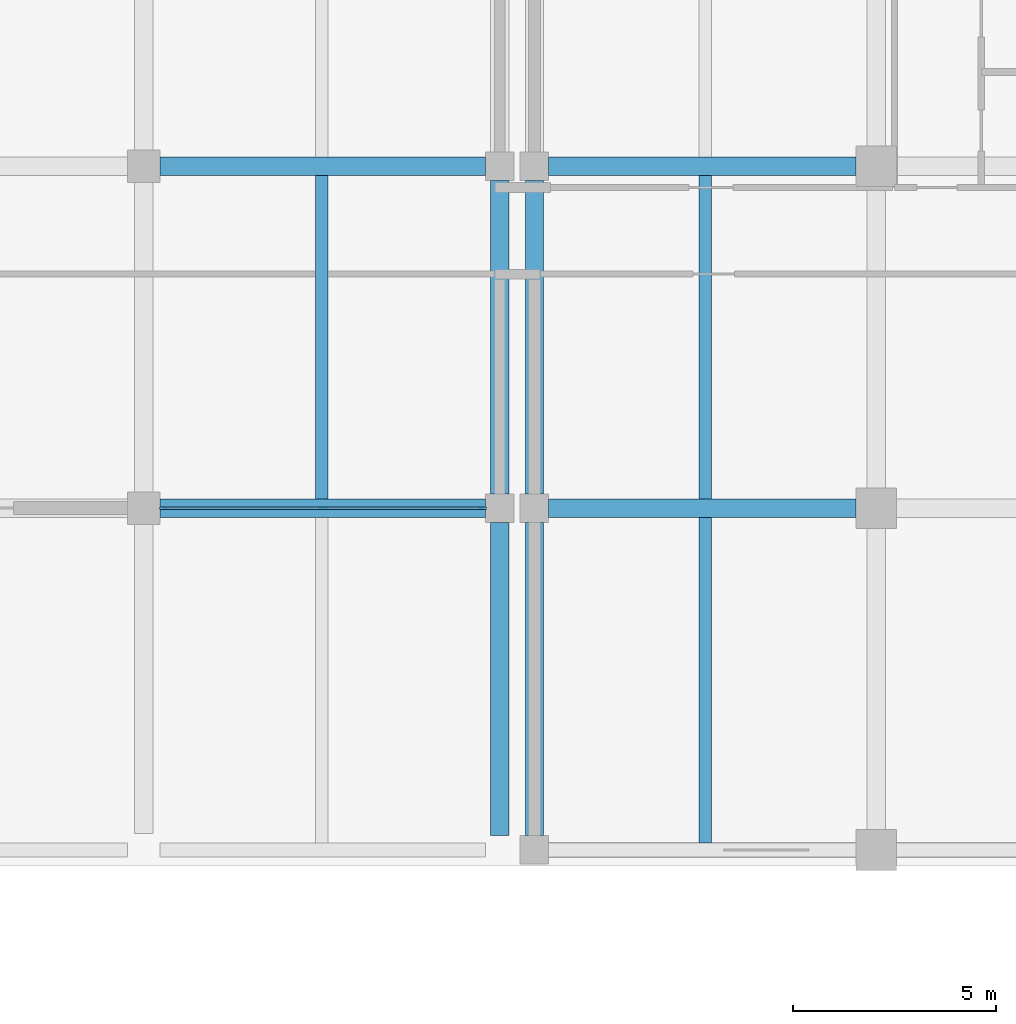
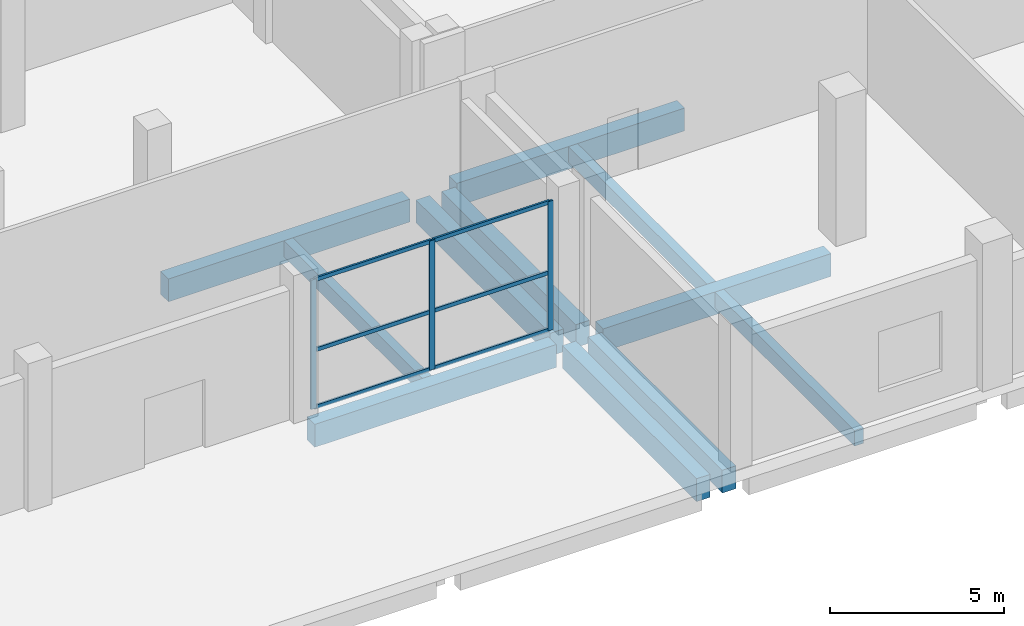
# One storey, part 13 of 34: 11 beams, 9 members, 1 element without a shape of its own.
"""IFC4 building model written with IfcOpenShell, lengths in metres."""

from ifc_helpers import new_model, si_unit, direction, frame, origin, origin_2d, place, context, subcontext, project, spatial, rectangle, extrude, material, material_profile, profile_set, type_object, element, aggregate, save


model = new_model("IFC4")

# Units and contexts
model_context = context("Model", 3, precision=1e-05, world=origin(), true_north=direction((0.0, 1.0)))
body_context = subcontext(model_context, "Body", "Model", "MODEL_VIEW")
ifc_project = project(units=[si_unit("LENGTHUNIT", "METRE"), si_unit("AREAUNIT", "SQUARE_METRE"), si_unit("VOLUMEUNIT", "CUBIC_METRE"), si_unit("PLANEANGLEUNIT", "RADIAN"), si_unit("MASSUNIT", "GRAM", prefix="KILO")], contexts=[model_context])

# Site, building, storey
site_placement = place(None, origin())
site = spatial("IfcSite", under=ifc_project, at=site_placement, CompositionType="ELEMENT")
building_placement = place(site_placement, origin())
building = spatial("IfcBuilding", under=site, at=building_placement, Name="Brinegate Botanical Conservatory", CompositionType="ELEMENT")
storey_placement = place(building_placement, origin())
storey = spatial("IfcBuildingStorey", under=building, at=storey_placement, Name="L01", CompositionType="ELEMENT", Elevation=0.0)

# Beams
ifc_material_1 = material(Name="Concrete C40/50", Category="concrete")
ifc_material_profile_1 = material_profile(ifc_material_1, rectangle(XDim=0.449951171875, YDim=0.800048828125, at=origin_2d()), Name="RC BM 450x800")
ifc_profile_set_1 = profile_set([ifc_material_profile_1], Name="Concrete C40/50")
beam_type_1 = type_object("IfcBeamType", Name="Beam_BM-G1", PredefinedType="BEAM", material=ifc_profile_set_1)
beam_1_placement = place(storey_placement, frame((112.800048828125, 86.800048828125, -0.804931640625), z_axis=(1.0, 0.0, 0.0), x_axis=(0.0, 1.0, 0.0)))
element("IfcBeam", 1, at=beam_1_placement, inside=storey, type_object=beam_type_1, Name="Beam BM-G1 L01 L:14-15", PredefinedType="BEAM", context=body_context, shape_type="SweptSolid", body=[
    extrude(rectangle(XDim=0.449951171875, YDim=0.800048828125, at=origin_2d()), origin(), (0.0, 0.0, 1.0), 8.0),
])
beam_2_placement = place(storey_placement, frame((122.35009765625, 86.800048828125, -0.804931640625), z_axis=(1.0, 0.0, 0.0), x_axis=(0.0, 1.0, 0.0)))
element("IfcBeam", 2, at=beam_2_placement, inside=storey, type_object=beam_type_1, Name="Beam BM-G1 L01 L:16-17", PredefinedType="BEAM", context=body_context, shape_type="SweptSolid", body=[
    extrude(rectangle(XDim=0.449951171875, YDim=0.800048828125, at=origin_2d()), origin(), (0.0, 0.0, 1.0), 7.5498046875),
])
beam_3_placement = place(storey_placement, frame((112.800048828125, 95.199951171875, -0.804931640625), z_axis=(1.0, 0.0, 0.0), x_axis=(0.0, 1.0, 0.0)))
element("IfcBeam", 3, at=beam_3_placement, inside=storey, type_object=beam_type_1, Name="Beam BM-G1 L01 M:14-15", PredefinedType="BEAM", context=body_context, shape_type="SweptSolid", body=[
    extrude(rectangle(XDim=0.449951171875, YDim=0.800048828125, at=origin_2d()), origin(), (0.0, 0.0, 1.0), 8.0),
])
beam_4_placement = place(storey_placement, frame((122.35009765625, 95.199951171875, -0.804931640625), z_axis=(1.0, 0.0, 0.0), x_axis=(0.0, 1.0, 0.0)))
element("IfcBeam", 4, at=beam_4_placement, inside=storey, type_object=beam_type_1, Name="Beam BM-G1 L01 M:16-17", PredefinedType="BEAM", context=body_context, shape_type="SweptSolid", body=[
    extrude(rectangle(XDim=0.449951171875, YDim=0.800048828125, at=origin_2d()), origin(), (0.0, 0.0, 1.0), 7.5498046875),
])
beam_5_placement = place(storey_placement, frame((121.14990234375, 78.75, -0.804931640625), z_axis=(0.0, 1.0, 0.0), x_axis=(-1.0, 0.0, 0.0)))
element("IfcBeam", 5, at=beam_5_placement, inside=storey, type_object=beam_type_1, Name="Beam BM-G1 L01 15:K-L", PredefinedType="BEAM", context=body_context, shape_type="SweptSolid", body=[
    extrude(rectangle(XDim=0.449951171875, YDim=0.800048828125, at=origin_2d()), origin(), (0.0, 0.0, 1.0), 7.699951171875),
])
beam_6_placement = place(storey_placement, frame((121.14990234375, 87.14990234375, -0.804931640625), z_axis=(0.0, 1.0, 0.0), x_axis=(-1.0, 0.0, 0.0)))
element("IfcBeam", 6, at=beam_6_placement, inside=storey, type_object=beam_type_1, Name="Beam BM-G1 L01 15:L-M", PredefinedType="BEAM", context=body_context, shape_type="SweptSolid", body=[
    extrude(rectangle(XDim=0.449951171875, YDim=0.800048828125, at=origin_2d()), origin(), (0.0, 0.0, 1.0), 7.7001953125),
])
beam_7_placement = place(storey_placement, frame((122.0, 78.75, -0.804931640625), z_axis=(0.0, 1.0, 0.0), x_axis=(-1.0, 0.0, 0.0)))
element("IfcBeam", 7, at=beam_7_placement, inside=storey, type_object=beam_type_1, Name="Beam BM-G1 L01 16:K-L", PredefinedType="BEAM", context=body_context, shape_type="SweptSolid", body=[
    extrude(rectangle(XDim=0.449951171875, YDim=0.800048828125, at=origin_2d()), origin(), (0.0, 0.0, 1.0), 7.699951171875),
])
beam_8_placement = place(storey_placement, frame((122.0, 87.14990234375, -0.804931640625), z_axis=(0.0, 1.0, 0.0), x_axis=(-1.0, 0.0, 0.0)))
element("IfcBeam", 8, at=beam_8_placement, inside=storey, type_object=beam_type_1, Name="Beam BM-G1 L01 16:L-M", PredefinedType="BEAM", context=body_context, shape_type="SweptSolid", body=[
    extrude(rectangle(XDim=0.449951171875, YDim=0.800048828125, at=origin_2d()), origin(), (0.0, 0.0, 1.0), 7.7001953125),
])
ifc_material_profile_2 = material_profile(ifc_material_1, rectangle(XDim=0.300048828125, YDim=0.550048828125, at=origin_2d()), Name="RC JST 300x550")
ifc_profile_set_2 = profile_set([ifc_material_profile_2], Name="Concrete C40/50")
beam_type_2 = type_object("IfcBeamType", Name="Beam_JS-C1", PredefinedType="JOIST", material=ifc_profile_set_2)
beam_9_placement = place(storey_placement, frame((116.77490234375, 87.02490234375, -0.679931640625), z_axis=(0.0, 1.0, 0.0), x_axis=(-1.0, 0.0, 0.0)))
element("IfcBeam", 9, at=beam_9_placement, inside=storey, type_object=beam_type_2, Name="Floor joist JS-C1 L01 bay 14.11", PredefinedType="JOIST", context=body_context, shape_type="SweptSolid", body=[
    extrude(rectangle(XDim=0.300048828125, YDim=0.550048828125, at=origin_2d()), origin(), (0.0, 0.0, 1.0), 7.9501953125),
])
beam_10_placement = place(storey_placement, frame((126.199951171875, 78.574951171875, -0.679931640625), z_axis=(0.0, 1.0, 0.0), x_axis=(-1.0, 0.0, 0.0)))
element("IfcBeam", 10, at=beam_10_placement, inside=storey, type_object=beam_type_2, Name="Floor joist JS-C1 L01 bay 16.10", PredefinedType="JOIST", context=body_context, shape_type="SweptSolid", body=[
    extrude(rectangle(XDim=0.300048828125, YDim=0.550048828125, at=origin_2d()), origin(), (0.0, 0.0, 1.0), 8.0),
])
beam_11_placement = place(storey_placement, frame((126.199951171875, 87.02490234375, -0.679931640625), z_axis=(0.0, 1.0, 0.0), x_axis=(-1.0, 0.0, 0.0)))
element("IfcBeam", 11, at=beam_11_placement, inside=storey, type_object=beam_type_2, Name="Floor joist JS-C1 L01 bay 16.11", PredefinedType="JOIST", context=body_context, shape_type="SweptSolid", body=[
    extrude(rectangle(XDim=0.300048828125, YDim=0.550048828125, at=origin_2d()), origin(), (0.0, 0.0, 1.0), 7.9501953125),
])

# Curtain wall, members
ifc_material_2 = material(Name="Thermally broken anodised aluminium AW-6063-T6", Category="aluminium")
curtain_wall_type = type_object("IfcCurtainWallType", Name="CW_CW-V3", PredefinedType="USERDEFINED", material=ifc_material_2)
curtain_wall_placement = place(storey_placement, origin())
curtain_wall = element("IfcCurtainWall", 12, at=curtain_wall_placement, inside=storey, type_object=curtain_wall_type, Name="Visitor south court curtain wall L01.8", ObjectType="FACTORY CURTAIN WALL", PredefinedType="USERDEFINED")
ifc_material_profile_3 = material_profile(ifc_material_2, rectangle(XDim=0.06494140625, YDim=0.179931640625, at=origin_2d()), Name="ALUM MULLION 65x180")
ifc_profile_set_3 = profile_set([ifc_material_profile_3], Name="Thermally broken anodised aluminium AW-6063-T6")
member_type_1 = type_object("IfcMemberType", Name="Member_ML-02", PredefinedType="MULLION", material=ifc_profile_set_3)
member_1_placement = place(storey_placement, frame((120.7275390625, 86.800048828125, 0.0), z_axis=(0.0, 0.0, 1.0), x_axis=(0.0, -1.0, 0.0)))
member_1 = element("IfcMember", 13, at=member_1_placement, type_object=member_type_1, Name="CW-V3 mullion 1", PredefinedType="MULLION", context=body_context, shape_type="SweptSolid", body=[
    extrude(rectangle(XDim=0.06494140625, YDim=0.179931640625, at=origin_2d()), origin(), (0.0, 0.0, 1.0), 4.530029296875),
])
member_2_placement = place(storey_placement, frame((116.800048828125, 86.800048828125, 0.0), z_axis=(0.0, 0.0, 1.0), x_axis=(0.0, -1.0, 0.0)))
member_2 = element("IfcMember", 14, at=member_2_placement, type_object=member_type_1, Name="CW-V3 mullion 2", PredefinedType="MULLION", context=body_context, shape_type="SweptSolid", body=[
    extrude(rectangle(XDim=0.06494140625, YDim=0.179931640625, at=origin_2d()), origin(), (0.0, 0.0, 1.0), 4.530029296875),
])
member_3_placement = place(storey_placement, frame((112.87255859375, 86.800048828125, 0.0), z_axis=(0.0, 0.0, 1.0), x_axis=(0.0, -1.0, 0.0)))
member_3 = element("IfcMember", 15, at=member_3_placement, type_object=member_type_1, Name="CW-V3 mullion 3", PredefinedType="MULLION", context=body_context, shape_type="SweptSolid", body=[
    extrude(rectangle(XDim=0.06494140625, YDim=0.179931640625, at=origin_2d()), origin(), (0.0, 0.0, 1.0), 4.530029296875),
])
ifc_material_profile_4 = material_profile(ifc_material_2, rectangle(XDim=0.06494140625, YDim=0.135009765625, at=origin_2d()), Name="ALUM TRANSOM 65x135")
ifc_profile_set_4 = profile_set([ifc_material_profile_4], Name="Thermally broken anodised aluminium AW-6063-T6")
member_type_2 = type_object("IfcMemberType", Name="Member_TR-02", PredefinedType="USERDEFINED", material=ifc_profile_set_4)
member_4_placement = place(storey_placement, frame((120.695068359375, 86.800048828125, 0.032470703125), z_axis=(-1.0, 0.0, 0.0), x_axis=(0.0, -1.0, 0.0)))
member_4 = element("IfcMember", 16, at=member_4_placement, type_object=member_type_2, Name="CW-V3 transom 1.1", ObjectType="TRANSOM", PredefinedType="USERDEFINED", context=body_context, shape_type="SweptSolid", body=[
    extrude(rectangle(XDim=0.06494140625, YDim=0.135009765625, at=origin_2d()), origin(), (0.0, 0.0, 1.0), 3.862548828125),
])
member_5_placement = place(storey_placement, frame((120.695068359375, 86.800048828125, 2.0380859375), z_axis=(-1.0, 0.0, 0.0), x_axis=(0.0, -1.0, 0.0)))
member_5 = element("IfcMember", 17, at=member_5_placement, type_object=member_type_2, Name="CW-V3 transom 1.2", ObjectType="TRANSOM", PredefinedType="USERDEFINED", context=body_context, shape_type="SweptSolid", body=[
    extrude(rectangle(XDim=0.06494140625, YDim=0.135009765625, at=origin_2d()), origin(), (0.0, 0.0, 1.0), 3.862548828125),
])
member_6_placement = place(storey_placement, frame((120.695068359375, 86.800048828125, 4.49755859375), z_axis=(-1.0, 0.0, 0.0), x_axis=(0.0, -1.0, 0.0)))
member_6 = element("IfcMember", 18, at=member_6_placement, type_object=member_type_2, Name="CW-V3 transom 1.3", ObjectType="TRANSOM", PredefinedType="USERDEFINED", context=body_context, shape_type="SweptSolid", body=[
    extrude(rectangle(XDim=0.06494140625, YDim=0.135009765625, at=origin_2d()), origin(), (0.0, 0.0, 1.0), 3.862548828125),
])
member_7_placement = place(storey_placement, frame((116.767578125, 86.800048828125, 0.032470703125), z_axis=(-1.0, 0.0, 0.0), x_axis=(0.0, -1.0, 0.0)))
member_7 = element("IfcMember", 19, at=member_7_placement, type_object=member_type_2, Name="CW-V3 transom 2.1", ObjectType="TRANSOM", PredefinedType="USERDEFINED", context=body_context, shape_type="SweptSolid", body=[
    extrude(rectangle(XDim=0.06494140625, YDim=0.135009765625, at=origin_2d()), origin(), (0.0, 0.0, 1.0), 3.862548828125),
])
member_8_placement = place(storey_placement, frame((116.767578125, 86.800048828125, 2.0380859375), z_axis=(-1.0, 0.0, 0.0), x_axis=(0.0, -1.0, 0.0)))
member_8 = element("IfcMember", 20, at=member_8_placement, type_object=member_type_2, Name="CW-V3 transom 2.2", ObjectType="TRANSOM", PredefinedType="USERDEFINED", context=body_context, shape_type="SweptSolid", body=[
    extrude(rectangle(XDim=0.06494140625, YDim=0.135009765625, at=origin_2d()), origin(), (0.0, 0.0, 1.0), 3.862548828125),
])
member_9_placement = place(storey_placement, frame((116.767578125, 86.800048828125, 4.49755859375), z_axis=(-1.0, 0.0, 0.0), x_axis=(0.0, -1.0, 0.0)))
member_9 = element("IfcMember", 21, at=member_9_placement, type_object=member_type_2, Name="CW-V3 transom 2.3", ObjectType="TRANSOM", PredefinedType="USERDEFINED", context=body_context, shape_type="SweptSolid", body=[
    extrude(rectangle(XDim=0.06494140625, YDim=0.135009765625, at=origin_2d()), origin(), (0.0, 0.0, 1.0), 3.862548828125),
])
aggregate(curtain_wall, [member_1, member_2, member_3, member_4, member_5, member_6, member_7, member_8, member_9])

save(model, "model.ifc")
